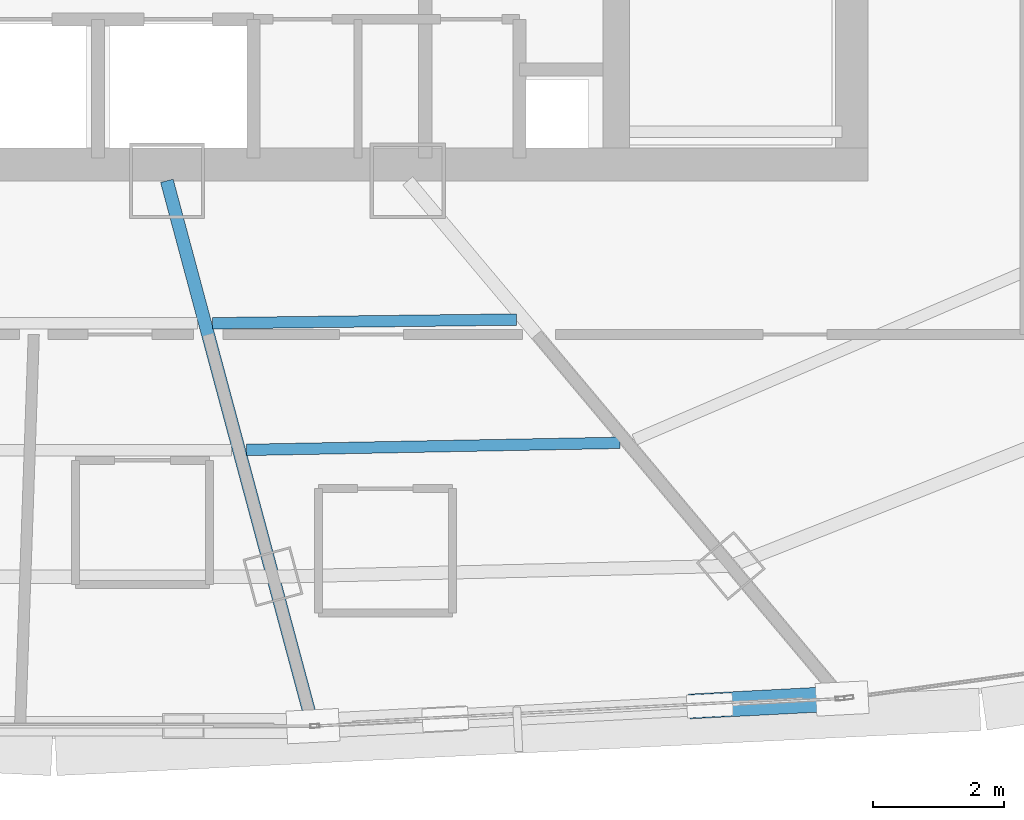
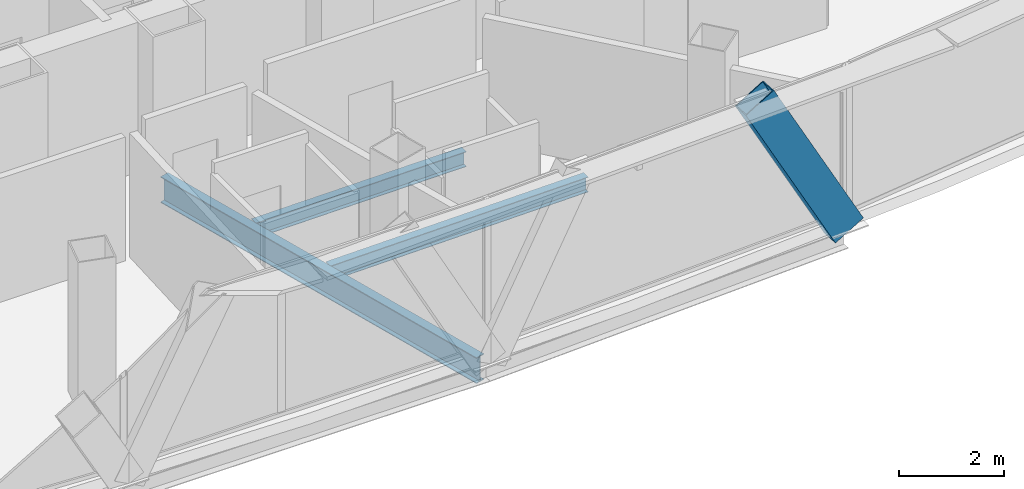
# One storey, part 11 of 40: 3 beams, 1 member.
"""IFC4 building model written with IfcOpenShell, lengths in metres."""

from ifc_helpers import new_model, si_unit, direction, frame, origin, origin_2d, place, context, subcontext, project, spatial, hollow_rectangle, i_section, extrude, source, transform, mapped, material, material_profile, profile_set, type_object, element, save


model = new_model("IFC4")

# Units and contexts
model_context = context("Model", 3, precision=1e-05, world=origin(), true_north=direction((0.0, 1.0)))
body_context = subcontext(model_context, "Body", "Model", "MODEL_VIEW")
ifc_project = project(units=[si_unit("LENGTHUNIT", "METRE"), si_unit("AREAUNIT", "SQUARE_METRE"), si_unit("VOLUMEUNIT", "CUBIC_METRE"), si_unit("PLANEANGLEUNIT", "RADIAN"), si_unit("MASSUNIT", "GRAM", prefix="KILO"), si_unit("THERMODYNAMICTEMPERATUREUNIT", "KELVIN"), si_unit("POWERUNIT", "WATT")], contexts=[model_context])

# Site, building, storey
site_placement = place(None, origin())
site = spatial("IfcSite", under=ifc_project, at=site_placement, CompositionType="ELEMENT")
building_placement = place(site_placement, origin())
building = spatial("IfcBuilding", under=site, at=building_placement, Name="Yunzhuo Pagoda Commons", CompositionType="ELEMENT")
storey_placement = place(building_placement, frame((0.0, 0.0, 288.75)))
storey = spatial("IfcBuildingStorey", under=building, at=storey_placement, Name="L72", CompositionType="ELEMENT", Elevation=288.75)

# Beams
ifc_material = material(Name="Structural steel Q355B", Category="steel")
ifc_material_profile_1 = material_profile(ifc_material, i_section(OverallWidth=0.175048828125, OverallDepth=0.35009765625, WebThickness=0.007080078125, FlangeThickness=0.010986328125, at=origin_2d()), Name="Structural steel Q355B")
ifc_profile_set_1 = profile_set([ifc_material_profile_1], Name="Structural steel Q355B")
beam_type_1 = type_object("IfcBeamType", Name="B-JS2 Joist HN 350x175x7x11", PredefinedType="JOIST", material=ifc_profile_set_1)
shared_shape_1 = source(origin(), body_context, "Body", "SweptSolid", [
    extrude(i_section(OverallWidth=0.175048828125, OverallDepth=0.35009765625, WebThickness=0.007080078125, FlangeThickness=0.010986328125, at=origin_2d()), origin(), (0.0, 0.0, 1.0), 4.64892578125),
])
beam_1_placement = place(storey_placement, frame((50.42724609375, 25.07177734375, -0.43505859375), z_axis=(0.999924495467, 0.012288342626, 0.0), x_axis=(-0.012288342626, 0.999924495467, 0.0)))
element("IfcBeam", 1, at=beam_1_placement, inside=storey, type_object=beam_type_1, Name="L72 composite ring joist 1.3", PredefinedType="JOIST", context=body_context, shape_type="MappedRepresentation", body=[
    mapped(shared_shape_1, transform((0.0, 0.0, 0.0), scale=1.0)),
])
shared_shape_2 = source(origin(), body_context, "Body", "SweptSolid", [
    extrude(i_section(OverallWidth=0.175048828125, OverallDepth=0.35009765625, WebThickness=0.007080078125, FlangeThickness=0.010986328125, at=origin_2d()), origin(), (0.0, 0.0, 1.0), 5.711669921875),
])
beam_2_placement = place(storey_placement, frame((50.9462890625, 23.135009765625, -0.43505859375), z_axis=(0.999819084998, 0.019020969297, 0.0), x_axis=(-0.019020969297, 0.999819084998, 0.0)))
element("IfcBeam", 2, at=beam_2_placement, inside=storey, type_object=beam_type_1, Name="L72 composite ring joist 2.3", PredefinedType="JOIST", context=body_context, shape_type="MappedRepresentation", body=[
    mapped(shared_shape_2, transform((0.0, 0.0, 0.0), scale=1.0)),
])
ifc_material_profile_2 = material_profile(ifc_material, i_section(OverallWidth=0.199951171875, OverallDepth=0.60009765625, WebThickness=0.010986328125, FlangeThickness=0.01708984375, at=origin_2d()), Name="Structural steel Q355B")
ifc_profile_set_2 = profile_set([ifc_material_profile_2], Name="Structural steel Q355B")
beam_type_2 = type_object("IfcBeamType", Name="B-RG3 Beam HN 600x200x11x17", PredefinedType="BEAM", material=ifc_profile_set_2)
shared_shape_3 = source(origin(), body_context, "Body", "SweptSolid", [
    extrude(i_section(OverallWidth=0.199951171875, OverallDepth=0.60009765625, WebThickness=0.010986328125, FlangeThickness=0.01708984375, at=origin_2d()), origin(), (0.0, 0.0, 1.0), 8.478515625),
])
beam_3_placement = place(storey_placement, frame((51.922607421875, 19.060302734375, -0.56005859375), z_axis=(-0.258782623342, 0.965935584734, 0.0), x_axis=(-0.965935584734, -0.258782623342, 0.0)))
element("IfcBeam", 3, at=beam_3_placement, inside=storey, type_object=beam_type_2, Name="L72 radial floor girder F1C3", PredefinedType="BEAM", context=body_context, shape_type="MappedRepresentation", body=[
    mapped(shared_shape_3, transform((0.0, 0.0, 0.0), scale=1.0)),
])

# Member
ifc_material_profile_3 = material_profile(ifc_material, hollow_rectangle(XDim=0.3798828125, YDim=0.719970703125, WallThickness=0.02001953125, at=origin_2d()), Name="Structural steel Q355B")
ifc_profile_set_3 = profile_set([ifc_material_profile_3], Name="Structural steel Q355B")
member_type = type_object("IfcMemberType", Name="M-DL3 Brace BOX 720x380x20", PredefinedType="BRACE", material=ifc_profile_set_3)
shared_shape_4 = source(origin(), body_context, "Body", "SweptSolid", [
    extrude(hollow_rectangle(XDim=0.3798828125, YDim=0.719970703125, WallThickness=0.02001953125, at=origin_2d()), origin(), (0.0, 0.0, 1.0), 4.24462890625),
])
member_placement = place(storey_placement, frame((60.054931640625, 19.33349609375, -0.260009765625), z_axis=(-0.476598580338, -0.02490552562, 0.878768176491), x_axis=(0.052185613721, -0.998637402524, 0.0)))
element("IfcMember", 4, at=member_placement, inside=storey, type_object=member_type, Name="L72 facade diamond brace F1.3R", PredefinedType="BRACE", context=body_context, shape_type="MappedRepresentation", body=[
    mapped(shared_shape_4, transform((0.0, 0.0, 0.0), scale=1.0)),
])

save(model, "model.ifc")
